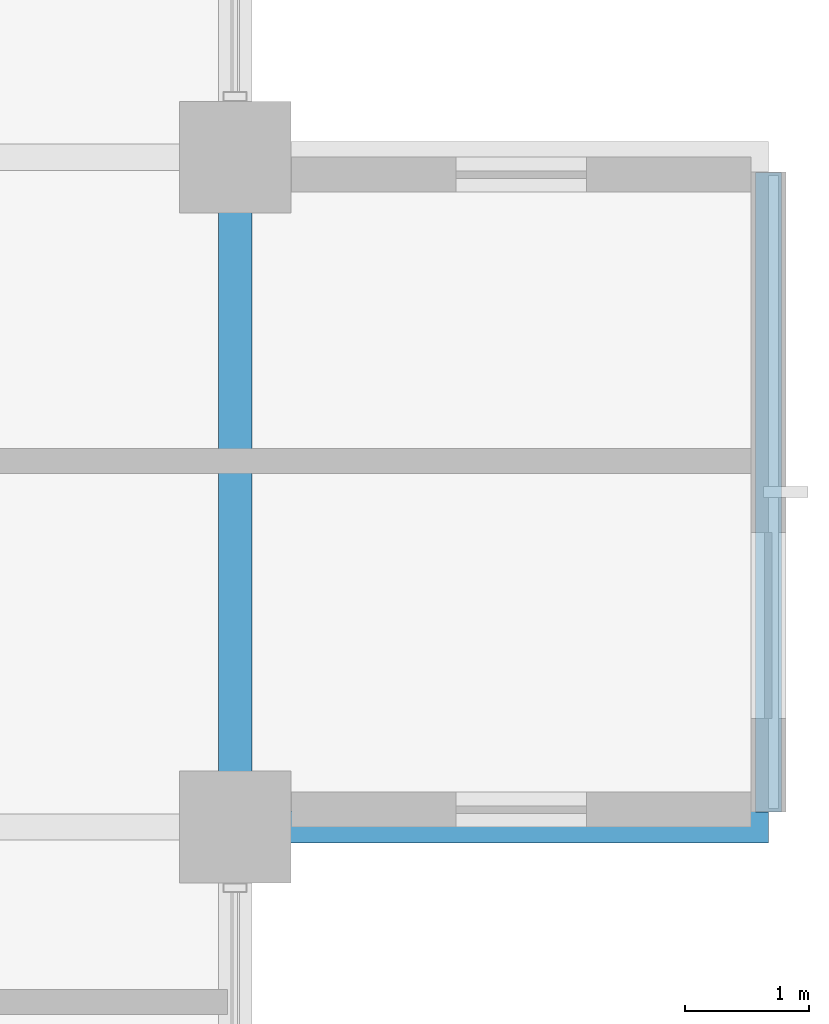
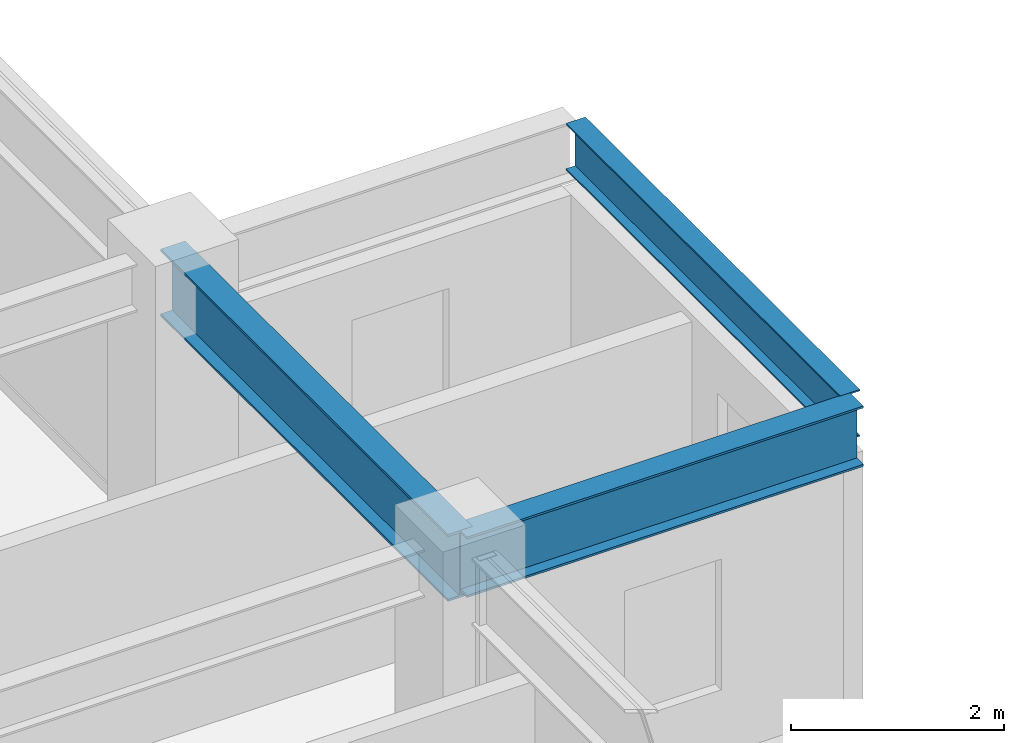
# One storey, part 12 of 28: 3 beams.
"""IFC4 building model written with IfcOpenShell, lengths in metres."""

from ifc_helpers import new_model, si_unit, direction, frame, origin, origin_2d, place, context, subcontext, project, spatial, i_section, extrude, material, material_profile, profile_set, type_object, element, save


model = new_model("IFC4")

# Units and contexts
model_context = context("Model", 3, precision=1e-05, world=origin(), true_north=direction((0.0, 1.0)))
body_context = subcontext(model_context, "Body", "Model", "MODEL_VIEW")
ifc_project = project(units=[si_unit("LENGTHUNIT", "METRE"), si_unit("AREAUNIT", "SQUARE_METRE"), si_unit("VOLUMEUNIT", "CUBIC_METRE"), si_unit("PLANEANGLEUNIT", "RADIAN"), si_unit("MASSUNIT", "GRAM", prefix="KILO")], contexts=[model_context])

# Site, building, storey
site_placement = place(None, origin())
site = spatial("IfcSite", under=ifc_project, at=site_placement, CompositionType="ELEMENT")
building_placement = place(site_placement, origin())
building = spatial("IfcBuilding", under=site, at=building_placement, Name="Surkhivell Harbour Commons", CompositionType="ELEMENT")
storey_placement = place(building_placement, frame((0.0, 0.0, 174.75)))
storey = spatial("IfcBuildingStorey", under=building, at=storey_placement, Name="L45", CompositionType="ELEMENT", Elevation=174.75)

# Beams
ifc_material_1 = material(Name="Steel S460", Category="steel")
ifc_material_profile_1 = material_profile(ifc_material_1, i_section(OverallWidth=0.256103515625, OverallDepth=0.693115234375, WebThickness=0.014404296875, FlangeThickness=0.023681640625, at=origin_2d()), Name="UB686x254x170")
ifc_profile_set_1 = profile_set([ifc_material_profile_1], Name="Steel S460")
beam_type_1 = type_object("IfcBeamType", Name="BM-CNT-686", PredefinedType="BEAM", material=ifc_profile_set_1)
beam_1_placement = place(storey_placement, frame((21.60009765625, 5.39990234375, 3.223388671875), z_axis=(1.0, 0.0, 0.0), x_axis=(0.0, 1.0, 0.0)))
element("IfcBeam", 1, at=beam_1_placement, inside=storey, type_object=beam_type_1, Name="L45 Box Cantilever Outrigger (21.6,5.4)", PredefinedType="BEAM", context=body_context, shape_type="SweptSolid", body=[
    extrude(i_section(OverallWidth=0.256103515625, OverallDepth=0.693115234375, WebThickness=0.014404296875, FlangeThickness=0.023681640625, at=origin_2d()), origin(), (0.0, 0.0, 1.0), 4.2998046875),
])
ifc_material_2 = material(Name="Steel S355", Category="steel")
ifc_material_profile_2 = material_profile(ifc_material_2, i_section(OverallWidth=0.2099609375, OverallDepth=0.537109375, WebThickness=0.0107421875, FlangeThickness=0.017333984375, at=origin_2d()), Name="UB533x210x101")
ifc_profile_set_2 = profile_set([ifc_material_profile_2], Name="Steel S355")
beam_type_2 = type_object("IfcBeamType", Name="BM-GRD-533B", PredefinedType="BEAM", material=ifc_profile_set_2)
beam_2_placement = place(storey_placement, frame((25.89990234375, 5.52197265625, 3.301513671875), z_axis=(0.0, 1.0, 0.0), x_axis=(-1.0, 0.0, 0.0)))
element("IfcBeam", 2, at=beam_2_placement, inside=storey, type_object=beam_type_2, Name="L45 Box Rim Spandrel (25.9,5.4)", PredefinedType="BEAM", context=body_context, shape_type="SweptSolid", body=[
    extrude(i_section(OverallWidth=0.2099609375, OverallDepth=0.537109375, WebThickness=0.0107421875, FlangeThickness=0.017333984375, at=origin_2d()), origin(), (0.0, 0.0, 1.0), 5.156005859375),
])
ifc_material_profile_3 = material_profile(ifc_material_2, i_section(OverallWidth=0.26806640625, OverallDepth=0.77001953125, WebThickness=0.015625, FlangeThickness=0.025390625, at=origin_2d()), Name="UB762x267x197")
ifc_profile_set_3 = profile_set([ifc_material_profile_3], Name="Steel S355")
beam_type_3 = type_object("IfcBeamType", Name="BM-SPN-762", PredefinedType="SPANDREL", material=ifc_profile_set_3)
beam_3_placement = place(storey_placement, frame((21.60009765625, 5.39990234375, 3.18505859375), z_axis=(0.0, 1.0, 0.0), x_axis=(-1.0, 0.0, 0.0)))
element("IfcBeam", 3, at=beam_3_placement, inside=storey, type_object=beam_type_3, Name="L45 Tube Spandrel (21.6,5.4)", PredefinedType="SPANDREL", context=body_context, shape_type="SweptSolid", body=[
    extrude(i_section(OverallWidth=0.26806640625, OverallDepth=0.77001953125, WebThickness=0.015625, FlangeThickness=0.025390625, at=origin_2d()), origin(), (0.0, 0.0, 1.0), 5.400146484375),
])

save(model, "model.ifc")
